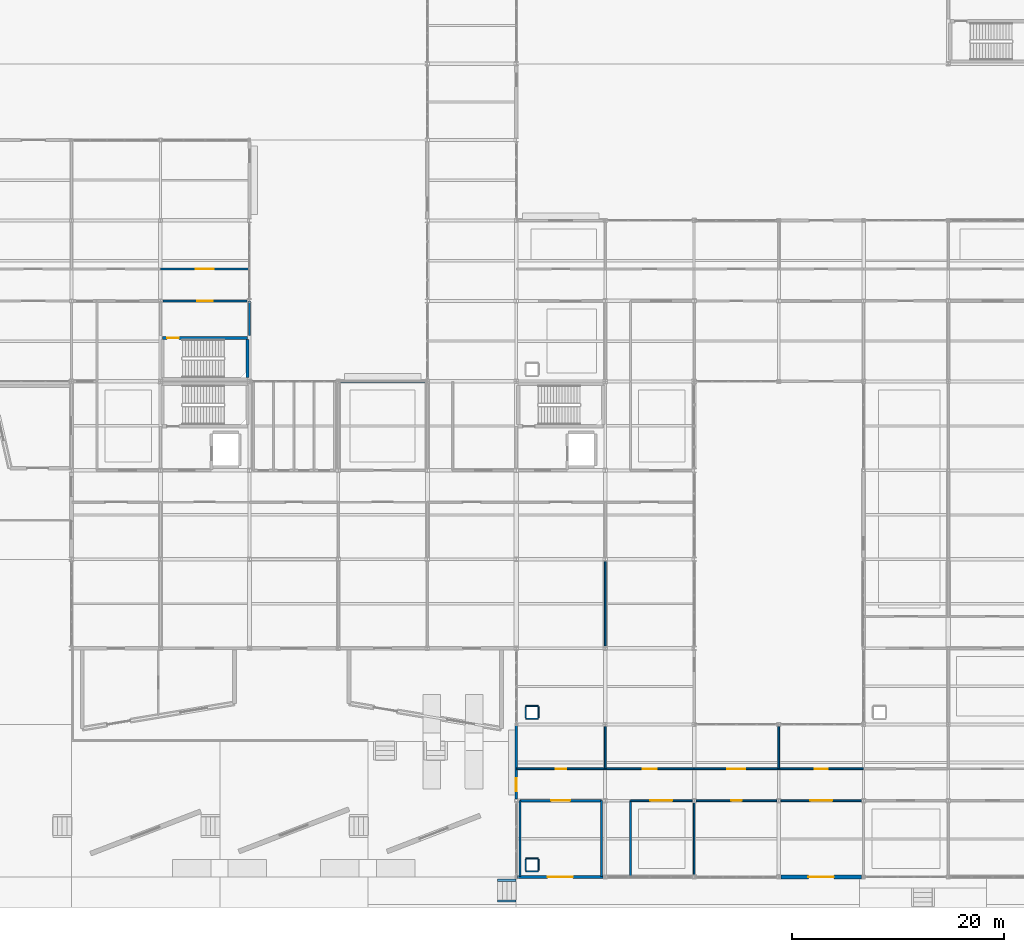
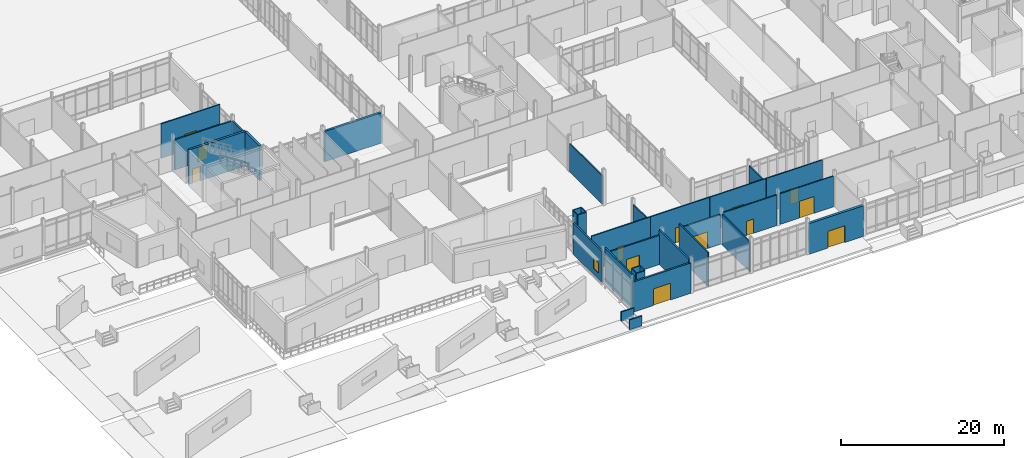
# One storey, part 191 of 229: 34 walls, 13 doors, 1 window, 14 openings.
"""IFC4 building model written with IfcOpenShell, lengths in metres."""

import ifcopenshell
import ifcopenshell.guid

model = None  # the IFC model being written
_history = None  # IfcOwnerHistory: only IFC2X3 demands one
_inside = {}  # id of a spatial element -> (the spatial element, [elements in it])
_under = {}  # id of a project, library or spatial element -> (it, [spatial elements below it])
_declared = {}  # id of a project -> (the project, [libraries it declares])
_typed = {}  # id of a type object -> (the type object, [elements of that type])
_made_of = {}  # id of a material, layer set ... -> (it, [elements and type objects made of it])


def new_model(schema):
    """Start an empty IFC model of exactly this schema.

    Asked for "IFC4X3", IfcOpenShell would pick the latest addendum, in which some entities
    have other attributes; the version numbers below select the first issue.
    IFC2X3 requires an IfcOwnerHistory on every rooted entity: one is made here for all.
    """
    global model, _history
    if schema == "IFC4X3":
        model = ifcopenshell.file(schema_version=(4, 3, 0, 0))
    else:
        model = ifcopenshell.file(schema=schema)
    _inside.clear()
    _under.clear()
    _declared.clear()
    _typed.clear()
    _made_of.clear()
    _history = None
    if model.schema == "IFC2X3":
        org = make("IfcOrganization", Name="unknown")
        user = make(
            "IfcPersonAndOrganization",
            ThePerson=make("IfcPerson", FamilyName="unknown"),
            TheOrganization=org,
        )
        app = make(
            "IfcApplication",
            ApplicationDeveloper=org,
            Version="unknown",
            ApplicationFullName="unknown",
            ApplicationIdentifier="unknown",
        )
        _history = make(
            "IfcOwnerHistory",
            OwningUser=user,
            OwningApplication=app,
            ChangeAction="ADDED",
            CreationDate=0,
        )
    return model


def make(cls, **values):
    """One entity of the class cls with the attributes given. An attribute that is None is left unset."""
    return model.create_entity(
        cls, **{name: value for name, value in values.items() if value is not None}
    )


def rooted(cls, **values):
    """An entity with a GlobalId (a new one), such as an element, a storey or a relation."""
    return make(cls, GlobalId=ifcopenshell.guid.new(), OwnerHistory=_history, **values)


def si_unit(unit_type, name, prefix=None):
    """IfcSIUnit, for example si_unit("LENGTHUNIT", "METRE", prefix="MILLI")."""
    return make("IfcSIUnit", UnitType=unit_type, Prefix=prefix, Name=name)


def assignment(units):
    """IfcUnitAssignment: the units of a project."""
    return None if units is None else make("IfcUnitAssignment", Units=units)


def point(xyz):
    """IfcCartesianPoint."""
    return None if xyz is None else make("IfcCartesianPoint", Coordinates=xyz)


def direction(xyz):
    """IfcDirection."""
    return None if xyz is None else make("IfcDirection", DirectionRatios=xyz)


def frame(location, z_axis=None, x_axis=None):
    """IfcAxis2Placement3D, a coordinate frame: its origin and axes. An axis left out is left unset."""
    return make(
        "IfcAxis2Placement3D",
        Location=point(location),
        Axis=direction(z_axis),
        RefDirection=direction(x_axis),
    )


def frame_2d(location, x_axis=None):
    """IfcAxis2Placement2D, a coordinate frame in the plane: its origin and x axis."""
    return make(
        "IfcAxis2Placement2D", Location=point(location), RefDirection=direction(x_axis)
    )


def origin():
    """The frame at (0, 0, 0) with its axes left unset."""
    return frame((0.0, 0.0, 0.0))


def place(relative_to, where):
    """IfcLocalPlacement: puts the frame where relative to a parent placement (None: the world)."""
    return make(
        "IfcLocalPlacement", PlacementRelTo=relative_to, RelativePlacement=where
    )


def context(
    kind, dimensions, precision=None, world=None, true_north=None, identifier=None
):
    """IfcGeometricRepresentationContext, for example the 3D "Model" context."""
    return make(
        "IfcGeometricRepresentationContext",
        ContextIdentifier=identifier,
        ContextType=kind,
        CoordinateSpaceDimension=dimensions,
        Precision=precision,
        WorldCoordinateSystem=world,
        TrueNorth=true_north,
    )


def subcontext(parent, identifier, kind, view, scale=None):
    """IfcGeometricRepresentationSubContext, for example "Body" below "Model"."""
    return make(
        "IfcGeometricRepresentationSubContext",
        ContextIdentifier=identifier,
        ContextType=kind,
        ParentContext=parent,
        TargetScale=scale,
        TargetView=view,
    )


def project(units=None, contexts=None):
    """IfcProject with its units and contexts."""
    return rooted(
        "IfcProject",
        Name="project",
        RepresentationContexts=contexts,
        UnitsInContext=assignment(units),
    )


def spatial(cls, under=None, at=None, **own):
    """A site, building, storey or space (cls), placed at a placement, below another one or the project."""
    s = rooted(cls, ObjectPlacement=at, **own)
    if under is not None:
        _under.setdefault(under.id(), (under, []))[1].append(s)
    return s


def profile(cls, at=None, kind="AREA", **sizes):
    """A parametric profile (cls). Its sizes go by their IFC names, for example OverallWidth=200.0."""
    return make(cls, ProfileType=kind, Position=at, **sizes)


def rectangle(**sizes):
    """IfcRectangleProfileDef."""
    return profile("IfcRectangleProfileDef", **sizes)


def extrude(swept, where, along, depth):
    """IfcExtrudedAreaSolid: the profile swept, set in the frame where, extruded along a direction by depth."""
    return make(
        "IfcExtrudedAreaSolid",
        SweptArea=swept,
        Position=where,
        ExtrudedDirection=direction(along),
        Depth=depth,
    )


def shape(context_of_items, identifier, shape_type, items):
    """IfcShapeRepresentation: the items that make up one representation, for example the "Body"."""
    return make(
        "IfcShapeRepresentation",
        ContextOfItems=context_of_items,
        RepresentationIdentifier=identifier,
        RepresentationType=shape_type,
        Items=items,
    )


def material(Name=None, Category=None):
    """IfcMaterial."""
    return make("IfcMaterial", Name=Name, Category=Category)


def layer(
    of_material, thickness, ventilated=None, Name=None, Category=None, Priority=None
):
    """IfcMaterialLayer: one layer of a wall or slab, of a material (None: an air gap)."""
    return make(
        "IfcMaterialLayer",
        Material=of_material,
        LayerThickness=thickness,
        IsVentilated=ventilated,
        Name=Name,
        Category=Category,
        Priority=Priority,
    )


def layer_set(layers, Name=None):
    """IfcMaterialLayerSet."""
    return make("IfcMaterialLayerSet", MaterialLayers=layers, LayerSetName=Name)


def made_of(thing, what):
    """Note that an element or type object is made of a material, layer set ...; save() writes the relation."""
    if what is not None:
        _made_of.setdefault(what.id(), (what, []))[1].append(thing)
    return thing


def type_object(cls, material=None, **own):
    """A type object (cls), such as IfcWallType, which elements share."""
    return made_of(rooted(cls, **own), material)


def element(
    cls,
    number,
    at=None,
    inside=None,
    cuts=None,
    type_object=None,
    material=None,
    context=None,
    identifier="Body",
    shape_type=None,
    held_by="IfcProductDefinitionShape",
    body=None,
    shapes=None,
    **own,
):
    """One element of the class cls, such as IfcWall. Its Tag is "e" and its number.

    at: its placement. inside: the storey or other place that contains it. cuts: it is an
    opening in that element (IfcRelVoidsElement). A single representation is given by context,
    identifier, shape_type and body (its items); several are given by shapes. held_by: the class
    of the entity that holds the representations. save() writes the other relations.
    """
    e = rooted(cls, Tag="e%d" % number, ObjectPlacement=at, **own)
    if body is not None:
        shapes = [shape(context, identifier, shape_type, body)]
    if shapes is not None:
        e.Representation = make(held_by, Representations=shapes)
    if inside is not None:
        _inside.setdefault(inside.id(), (inside, []))[1].append(e)
    if cuts is not None:
        rooted(
            "IfcRelVoidsElement", RelatingBuildingElement=cuts, RelatedOpeningElement=e
        )
    if type_object is not None:
        _typed.setdefault(type_object.id(), (type_object, []))[1].append(e)
    return made_of(e, material)


def fill(opening, filler):
    """IfcRelFillsElement: the door or window that sits in an opening."""
    return rooted(
        "IfcRelFillsElement",
        RelatingOpeningElement=opening,
        RelatedBuildingElement=filler,
    )


def aggregate(whole, parts):
    """IfcRelAggregates: a whole, such as a stair, and the parts it consists of."""
    return rooted("IfcRelAggregates", RelatingObject=whole, RelatedObjects=parts)


def save(model, path):
    """Write the relations noted so far, then the file.

    IfcRelAggregates (storeys below a building ...), IfcRelContainedInSpatialStructure (elements
    in a storey), IfcRelDefinesByType, IfcRelAssociatesMaterial and IfcRelDeclares: one each for
    every whole, place, type object, material and project.
    """
    for whole, parts in _under.values():
        aggregate(whole, parts)
    for where, things in _inside.values():
        rooted(
            "IfcRelContainedInSpatialStructure",
            RelatedElements=things,
            RelatingStructure=where,
        )
    for kind, things in _typed.values():
        rooted("IfcRelDefinesByType", RelatedObjects=things, RelatingType=kind)
    for what, things in _made_of.values():
        rooted("IfcRelAssociatesMaterial", RelatedObjects=things, RelatingMaterial=what)
    for by, libraries in _declared.values():
        rooted("IfcRelDeclares", RelatingContext=by, RelatedDefinitions=libraries)
    model.write(path)


model = new_model("IFC4")

# Units and contexts
model_context = context("Model", 3, precision=1e-05, world=origin(), true_north=direction((0.0, 1.0)))
body_context = subcontext(model_context, "Body", "Model", "MODEL_VIEW")
ifc_project = project(units=[si_unit("LENGTHUNIT", "METRE"), si_unit("AREAUNIT", "SQUARE_METRE"), si_unit("VOLUMEUNIT", "CUBIC_METRE"), si_unit("PLANEANGLEUNIT", "RADIAN"), si_unit("MASSUNIT", "GRAM", prefix="KILO")], contexts=[model_context])

# Site, building, storey
site_placement = place(None, origin())
site = spatial("IfcSite", under=ifc_project, at=site_placement, CompositionType="ELEMENT")
building_placement = place(site_placement, origin())
building = spatial("IfcBuilding", under=site, at=building_placement, Name="Calvrana Isthmian Art Gallery", CompositionType="ELEMENT")
storey_placement = place(building_placement, origin())
storey = spatial("IfcBuildingStorey", under=building, at=storey_placement, Name="L00", CompositionType="ELEMENT", Elevation=0.0)

# Wall, opening, door
ifc_material_1 = material(Name="Concrete C40/50", Category="concrete")
ifc_layer_1 = layer(ifc_material_1, 0.300048828125, Name="Concrete C40/50")
ifc_layer_set_1 = layer_set([ifc_layer_1], Name="Concrete C40/50")
wall_type_1 = type_object("IfcWallType", Name="CW-SHAFT-300", PredefinedType="SHEAR", material=ifc_layer_set_1)
wall_1_placement = place(storey_placement, frame((30.18994140625, 50.89990234375, 0.0), z_axis=(0.0, 0.0, 1.0), x_axis=(1.0, 0.0, 0.0)))
wall_1 = element("IfcWall", 1, at=wall_1_placement, inside=storey, type_object=wall_type_1, Name="Core C7 shear wall N L00", PredefinedType="SHEAR", context=body_context, shape_type="SweptSolid", body=[
    extrude(rectangle(XDim=8.02001953125, YDim=0.300048828125, at=frame_2d((4.010009765625, 0.0))), origin(), (0.0, 0.0, 1.0), 5.159912109375),
])
opening_1_placement = place(wall_1_placement, frame((0.449951171875, 0.0, 0.0)))
opening_1 = element("IfcOpeningElement", 2, at=opening_1_placement, cuts=wall_1, Name="Opening D-176", PredefinedType="OPENING", context=body_context, shape_type="SweptSolid", body=[
    extrude(rectangle(XDim=1.10009765625, YDim=2.14990234375, at=frame_2d((0.550048828125, 1.074951171875))), frame((0.0, 0.16015625, 0.0), z_axis=(0.0, -1.0, 0.0), x_axis=(1.0, 0.0, 0.0)), (0.0, 0.0, 1.0), 0.320556640625),
])
ifc_material_2 = material(Name="Steel ASTM A572 Gr 50", Category="steel")
door_type_1 = type_object("IfcDoorType", Name="DR-FIRE-1100", OperationType="NOTDEFINED", PredefinedType="DOOR", material=ifc_material_2)
door_1_placement = place(opening_1_placement, origin())
door_1 = element("IfcDoor", 3, at=door_1_placement, inside=storey, type_object=door_type_1, Name="Stair ST-7 fire door L00", OperationType="SINGLE_SWING_LEFT", OverallHeight=2.14990234375, OverallWidth=1.10009765625, PredefinedType="DOOR", context=body_context, shape_type="SweptSolid", body=[
    extrude(rectangle(XDim=1.10009765625, YDim=2.14990234375, at=frame_2d((0.550048828125, 1.074951171875))), frame((0.0, 0.02490234375, 0.0), z_axis=(0.0, -1.0, 0.0), x_axis=(1.0, 0.0, 0.0)), (0.0, 0.0, 1.0), 0.050048828125),
])
fill(opening_1, door_1)

# Wall
wall_2_placement = place(storey_placement, frame((38.2099609375, 47.14990234375, 0.0), z_axis=(0.0, 0.0, 1.0), x_axis=(0.0, 1.0, 0.0)))
element("IfcWall", 4, at=wall_2_placement, inside=storey, type_object=wall_type_1, Name="Core C7 shear wall E L00", PredefinedType="SHEAR", context=body_context, shape_type="SweptSolid", body=[
    extrude(rectangle(XDim=3.60009765625, YDim=0.300048828125, at=frame_2d((1.800048828125, 0.0))), origin(), (0.0, 0.0, 1.0), 5.159912109375),
])

# Wall, opening, window
ifc_material_3 = material(Name="Precast concrete C40/50", Category="concrete")
ifc_layer_2 = layer(ifc_material_3, 0.219970703125, Name="Precast concrete C40/50")
ifc_layer_set_2 = layer_set([ifc_layer_2], Name="Precast concrete C40/50")
wall_type_2 = type_object("IfcWallType", Name="EW-ACOUST-220", PredefinedType="SOLIDWALL", material=ifc_layer_set_2)
wall_3_placement = place(storey_placement, frame((63.60009765625, 7.352294921875, 0.0), z_axis=(0.0, 0.0, 1.0), x_axis=(0.0, 1.0, 0.0)))
wall_3 = element("IfcWall", 5, at=wall_3_placement, inside=storey, type_object=wall_type_2, Name="Exterior wall EW-039", PredefinedType="SOLIDWALL", context=body_context, shape_type="SweptSolid", body=[
    extrude(rectangle(XDim=6.946044921875, YDim=0.219970703125, at=frame_2d((3.47314453125, 0.0))), origin(), (0.0, 0.0, 1.0), 4.677978515625),
])
opening_2_placement = place(wall_3_placement, frame((0.75, 0.0, 0.89990234375)))
opening_2 = element("IfcOpeningElement", 6, at=opening_2_placement, cuts=wall_3, Name="Opening W-011", PredefinedType="OPENING", context=body_context, shape_type="SweptSolid", body=[
    extrude(rectangle(XDim=1.199951171875, YDim=1.5, at=frame_2d((0.60009765625, 0.75))), frame((0.0, 0.1201171875, 0.0), z_axis=(0.0, -1.0, 0.0), x_axis=(1.0, 0.0, 0.0)), (0.0, 0.0, 1.0), 0.240478515625),
])
ifc_material_4 = material(Name="Low-E laminated solar glass", Category="glass")
window_type = type_object("IfcWindowType", Name="WN-G01", PartitioningType="SINGLE_PANEL", PredefinedType="WINDOW", material=ifc_material_4)
window_placement = place(opening_2_placement, origin())
window = element("IfcWindow", 7, at=window_placement, inside=storey, type_object=window_type, Name="Facade window W-011", OverallHeight=1.5, OverallWidth=1.199951171875, PartitioningType="SINGLE_PANEL", PredefinedType="WINDOW", context=body_context, shape_type="SweptSolid", body=[
    extrude(rectangle(XDim=1.199951171875, YDim=1.5, at=frame_2d((0.60009765625, 0.75))), frame((0.0, 0.030029296875, 0.0), z_axis=(0.0, -1.0, 0.0), x_axis=(1.0, 0.0, 0.0)), (0.0, 0.0, 1.0), 0.06005859375),
])
fill(opening_2, window)

# Wall
ifc_material_5 = material(Name="Pale Isthmian limestone", Category="masonry")
ifc_layer_3 = layer(ifc_material_5, 0.300048828125, Name="Pale Isthmian limestone")
ifc_layer_set_3 = layer_set([ifc_layer_3], Name="Pale Isthmian limestone")
wall_type_3 = type_object("IfcWallType", Name="EW-LIME-300", PredefinedType="SOLIDWALL", material=ifc_layer_set_3)
wall_4_placement = place(storey_placement, frame((46.99951171875, 46.800048828125, 0.0), z_axis=(0.0, 0.0, 1.0), x_axis=(1.0, 0.0, 0.0)))
element("IfcWall", 8, at=wall_4_placement, inside=storey, type_object=wall_type_3, Name="Exterior wall EW-012", PredefinedType="SOLIDWALL", context=body_context, shape_type="SweptSolid", body=[
    extrude(rectangle(XDim=7.99853515625, YDim=0.300048828125, at=frame_2d((3.999267578125, 0.0))), origin(), (0.0, 0.0, 1.0), 4.528076171875),
])

# Wall, opening, door
ifc_layer_4 = layer(ifc_material_3, 0.35009765625, Name="Precast concrete C40/50")
ifc_layer_set_4 = layer_set([ifc_layer_4], Name="Precast concrete C40/50")
wall_type_4 = type_object("IfcWallType", Name="EW-PREC-350", PredefinedType="SOLIDWALL", material=ifc_layer_set_4)
wall_5_placement = place(storey_placement, frame((96.214599609375, 0.0, 0.0), z_axis=(0.0, 0.0, 1.0), x_axis=(-1.0, 0.0, 0.0)))
wall_5 = element("IfcWall", 9, at=wall_5_placement, inside=storey, type_object=wall_type_4, Name="Exterior wall EW-002", PredefinedType="SOLIDWALL", context=body_context, shape_type="SweptSolid", body=[
    extrude(rectangle(XDim=7.628173828125, YDim=0.35009765625, at=frame_2d((3.81396484375, 0.0))), origin(), (0.0, 0.0, 1.0), 4.591064453125),
])
opening_3_placement = place(wall_5_placement, frame((2.614013671875, 0.0, 0.0)))
opening_3 = element("IfcOpeningElement", 10, at=opening_3_placement, cuts=wall_5, Name="Opening D-E02", PredefinedType="OPENING", context=body_context, shape_type="SweptSolid", body=[
    extrude(rectangle(XDim=2.39990234375, YDim=2.5, at=frame_2d((1.199951171875, 1.25))), frame((0.0, 0.185302734375, 0.0), z_axis=(0.0, -1.0, 0.0), x_axis=(1.0, 0.0, 0.0)), (0.0, 0.0, 1.0), 0.37060546875),
])
ifc_material_6 = material(Name="Anodized bronze aluminium 6063-T6", Category="aluminium")
door_type_2 = type_object("IfcDoorType", Name="DR-EXT-MAIN-2400", OperationType="DOUBLE_DOOR_SINGLE_SWING", PredefinedType="DOOR", material=ifc_material_6)
door_2_placement = place(opening_3_placement, origin())
door_2 = element("IfcDoor", 11, at=door_2_placement, inside=storey, type_object=door_type_2, Name="Main entrance pedestrian exit D-E02", OperationType="DOUBLE_DOOR_SINGLE_SWING", OverallHeight=2.5, OverallWidth=2.39990234375, PredefinedType="DOOR", context=body_context, shape_type="SweptSolid", body=[
    extrude(rectangle(XDim=2.39990234375, YDim=2.5, at=frame_2d((1.199951171875, 1.25))), frame((0.0, 0.02490234375, 0.0), z_axis=(0.0, -1.0, 0.0), x_axis=(1.0, 0.0, 0.0)), (0.0, 0.0, 1.0), 0.050048828125),
])
fill(opening_3, door_2)

ifc_material_7 = material(Name="Polychrome glazed terracotta", Category="masonry")
ifc_layer_5 = layer(ifc_material_7, 0.25, Name="Polychrome glazed terracotta")
ifc_layer_set_5 = layer_set([ifc_layer_5], Name="Polychrome glazed terracotta")
wall_type_5 = type_object("IfcWallType", Name="EW-TERRA-250", PredefinedType="SOLIDWALL", material=ifc_layer_set_5)
wall_6_placement = place(storey_placement, frame((71.81591796875, 0.0, 0.0), z_axis=(0.0, 0.0, 1.0), x_axis=(-1.0, 0.0, 0.0)))
wall_6 = element("IfcWall", 12, at=wall_6_placement, inside=storey, type_object=wall_type_5, Name="Exterior wall EW-001", PredefinedType="SOLIDWALL", context=body_context, shape_type="SweptSolid", body=[
    extrude(rectangle(XDim=8.1142578125, YDim=0.25, at=frame_2d((4.05712890625, 0.0))), origin(), (0.0, 0.0, 1.0), 4.528076171875),
])
opening_4_placement = place(wall_6_placement, frame((2.857177734375, 0.0, 0.0)))
opening_4 = element("IfcOpeningElement", 13, at=opening_4_placement, cuts=wall_6, Name="Opening D-E01", PredefinedType="OPENING", context=body_context, shape_type="SweptSolid", body=[
    extrude(rectangle(XDim=2.39990234375, YDim=2.5, at=frame_2d((1.199951171875, 1.25))), frame((0.0, 0.13525390625, 0.0), z_axis=(0.0, -1.0, 0.0), x_axis=(1.0, 0.0, 0.0)), (0.0, 0.0, 1.0), 0.2705078125),
])
door_3_placement = place(opening_4_placement, origin())
door_3 = element("IfcDoor", 14, at=door_3_placement, inside=storey, type_object=door_type_2, Name="Main entrance pedestrian exit D-E01", OperationType="DOUBLE_DOOR_SINGLE_SWING", OverallHeight=2.5, OverallWidth=2.39990234375, PredefinedType="DOOR", context=body_context, shape_type="SweptSolid", body=[
    extrude(rectangle(XDim=2.39990234375, YDim=2.5, at=frame_2d((1.199951171875, 1.25))), frame((0.0, 0.02490234375, 0.0), z_axis=(0.0, -1.0, 0.0), x_axis=(1.0, 0.0, 0.0)), (0.0, 0.0, 1.0), 0.050048828125),
])
fill(opening_4, door_3)

# Wall
ifc_material_8 = material(Name="Acoustic gypsum ceiling", Category="gypsum")
ifc_layer_6 = layer(ifc_material_8, 0.199951171875, Name="Acoustic gypsum ceiling")
ifc_layer_set_6 = layer_set([ifc_layer_6], Name="Acoustic gypsum ceiling")
wall_type_6 = type_object("IfcWallType", Name="PW-FIRE-200", PredefinedType="PARTITIONING", material=ifc_layer_set_6)
wall_7_placement = place(storey_placement, frame((38.39990234375, 51.1201171875, 0.0), z_axis=(0.0, 0.0, 1.0), x_axis=(0.0, 1.0, 0.0)))
element("IfcWall", 15, at=wall_7_placement, inside=storey, type_object=wall_type_6, Name="Core C7 lobby E closure L00", PredefinedType="PARTITIONING", context=body_context, shape_type="SweptSolid", body=[
    extrude(rectangle(XDim=3.259765625, YDim=0.199951171875, at=frame_2d((1.6298828125, 0.0))), origin(), (0.0, 0.0, 1.0), 4.532958984375),
])

# Wall, opening, door
wall_8_placement = place(storey_placement, frame((30.219970703125, 54.39990234375, 0.0), z_axis=(0.0, 0.0, 1.0), x_axis=(1.0, 0.0, 0.0)))
wall_8 = element("IfcWall", 16, at=wall_8_placement, inside=storey, type_object=wall_type_6, Name="Core C7 lobby enclosure L00", PredefinedType="PARTITIONING", context=body_context, shape_type="SweptSolid", body=[
    extrude(rectangle(XDim=7.9599609375, YDim=0.199951171875, at=frame_2d((3.97998046875, 0.0))), origin(), (0.0, 0.0, 1.0), 4.51806640625),
])
opening_5_placement = place(wall_8_placement, frame((3.2548828125, 0.0, 0.0)))
opening_5 = element("IfcOpeningElement", 17, at=opening_5_placement, cuts=wall_8, Name="Opening D-177", PredefinedType="OPENING", context=body_context, shape_type="SweptSolid", body=[
    extrude(rectangle(XDim=1.449951171875, YDim=2.199951171875, at=frame_2d((0.72509765625, 1.10009765625))), frame((0.0, 0.1103515625, 0.0), z_axis=(0.0, -1.0, 0.0), x_axis=(1.0, 0.0, 0.0)), (0.0, 0.0, 1.0), 0.220458984375),
])
door_type_3 = type_object("IfcDoorType", Name="DR-LOBBY-1450", OperationType="DOUBLE_DOOR_SINGLE_SWING", PredefinedType="DOOR", material=ifc_material_2)
door_4_placement = place(opening_5_placement, origin())
door_4 = element("IfcDoor", 18, at=door_4_placement, inside=storey, type_object=door_type_3, Name="Core C7 lobby fire door L00", OperationType="DOUBLE_DOOR_SINGLE_SWING", OverallHeight=2.199951171875, OverallWidth=1.449951171875, PredefinedType="DOOR", context=body_context, shape_type="SweptSolid", body=[
    extrude(rectangle(XDim=1.449951171875, YDim=2.199951171875, at=frame_2d((0.72509765625, 1.10009765625))), frame((0.0, 0.02490234375, 0.0), z_axis=(0.0, -1.0, 0.0), x_axis=(1.0, 0.0, 0.0)), (0.0, 0.0, 1.0), 0.050048828125),
])
fill(opening_5, door_4)

# Walls
for number, where, z_axis, x_axis, name in (
    (19, (63.9599609375, 0.02001953125, 0.0), (0.0, 0.0, 1.0), (0.0, 1.0, 0.0), "Interior partition PW-107"),
    (20, (71.639892578125, 0.02001953125, 0.0), (0.0, 0.0, 1.0), (0.0, 1.0, 0.0), "Interior partition PW-108"),
):
    element("IfcWall", number, at=place(storey_placement, frame(where, z_axis=z_axis, x_axis=x_axis)), inside=storey, type_object=wall_type_6, Name=name, PredefinedType="PARTITIONING", context=body_context, shape_type="SweptSolid", body=[
        extrude(rectangle(XDim=7.179931640625, YDim=0.199951171875, at=frame_2d((3.58984375, 0.0))), origin(), (0.0, 0.0, 1.0), 5.139892578125),
    ])

# Wall, opening, door
wall_9_placement = place(storey_placement, frame((63.9599609375, 7.199951171875, 0.0), z_axis=(0.0, 0.0, 1.0), x_axis=(1.0, 0.0, 0.0)))
wall_9 = element("IfcWall", 21, at=wall_9_placement, inside=storey, type_object=wall_type_6, Name="Interior partition PW-109", PredefinedType="PARTITIONING", context=body_context, shape_type="SweptSolid", body=[
    extrude(rectangle(XDim=7.679931640625, YDim=0.199951171875, at=frame_2d((3.83984375, 0.0))), origin(), (0.0, 0.0, 1.0), 4.3779296875),
])
opening_6_placement = place(wall_9_placement, frame((2.93994140625, 0.0, 0.0)))
opening_6 = element("IfcOpeningElement", 22, at=opening_6_placement, cuts=wall_9, Name="Opening D-250", PredefinedType="OPENING", context=body_context, shape_type="SweptSolid", body=[
    extrude(rectangle(XDim=1.800048828125, YDim=2.39990234375, at=frame_2d((0.89990234375, 1.199951171875))), frame((0.0, 0.1103515625, 0.0), z_axis=(0.0, -1.0, 0.0), x_axis=(1.0, 0.0, 0.0)), (0.0, 0.0, 1.0), 0.220458984375),
])
door_type_4 = type_object("IfcDoorType", Name="DR-VAULT-1800", OperationType="DOUBLE_DOOR_SINGLE_SWING", PredefinedType="DOOR", material=ifc_material_2)
door_5_placement = place(opening_6_placement, origin())
door_5 = element("IfcDoor", 23, at=door_5_placement, inside=storey, type_object=door_type_4, Name="Interior door D-250", OperationType="DOUBLE_DOOR_SINGLE_SWING", OverallHeight=2.39990234375, OverallWidth=1.800048828125, PredefinedType="DOOR", context=body_context, shape_type="SweptSolid", body=[
    extrude(rectangle(XDim=1.800048828125, YDim=2.39990234375, at=frame_2d((0.89990234375, 1.199951171875))), frame((0.0, 0.02490234375, 0.0), z_axis=(0.0, -1.0, 0.0), x_axis=(1.0, 0.0, 0.0)), (0.0, 0.0, 1.0), 0.050048828125),
])
fill(opening_6, door_5)

# Walls
ifc_layer_7 = layer(ifc_material_8, 0.1201171875, Name="Acoustic gypsum ceiling")
ifc_layer_set_7 = layer_set([ifc_layer_7], Name="Acoustic gypsum ceiling")
wall_type_7 = type_object("IfcWallType", Name="PW-FURR-120", PredefinedType="PARTITIONING", material=ifc_layer_set_7)
for number, where, z_axis, x_axis, name in (
    (24, (64.5, 0.5400390625, 0.0), (0.0, 0.0, 1.0), (1.0, 0.0, 0.0), "MEP riser enclosure L00-1S"),
    (25, (64.5, 1.739990234375, 0.0), (0.0, 0.0, 1.0), (1.0, 0.0, 0.0), "MEP riser enclosure L00-1N"),
):
    element("IfcWall", number, at=place(storey_placement, frame(where, z_axis=z_axis, x_axis=x_axis)), inside=storey, type_object=wall_type_7, Name=name, PredefinedType="PARTITIONING", context=body_context, shape_type="SweptSolid", body=[
        extrude(rectangle(XDim=1.199951171875, YDim=0.1201171875, at=frame_2d((0.60009765625, 0.0))), origin(), (0.0, 0.0, 1.0), 5.159912109375),
    ])
for number, where, z_axis, x_axis, name in (
    (26, (64.5, 0.6201171875, 0.0), (0.0, 0.0, 1.0), (0.0, 1.0, 0.0), "MEP riser enclosure L00-1W"),
    (27, (65.699951171875, 0.6201171875, 0.0), (0.0, 0.0, 1.0), (0.0, 1.0, 0.0), "MEP riser enclosure L00-1E"),
):
    element("IfcWall", number, at=place(storey_placement, frame(where, z_axis=z_axis, x_axis=x_axis)), inside=storey, type_object=wall_type_7, Name=name, PredefinedType="PARTITIONING", context=body_context, shape_type="SweptSolid", body=[
        extrude(rectangle(XDim=1.039794921875, YDim=0.1201171875, at=frame_2d((0.52001953125, 0.0))), origin(), (0.0, 0.0, 1.0), 5.159912109375),
    ])
for number, where, z_axis, x_axis, name in (
    (28, (64.5, 14.93994140625, 0.0), (0.0, 0.0, 1.0), (1.0, 0.0, 0.0), "MEP riser enclosure L00-2S"),
    (29, (64.5, 16.139892578125, 0.0), (0.0, 0.0, 1.0), (1.0, 0.0, 0.0), "MEP riser enclosure L00-2N"),
):
    element("IfcWall", number, at=place(storey_placement, frame(where, z_axis=z_axis, x_axis=x_axis)), inside=storey, type_object=wall_type_7, Name=name, PredefinedType="PARTITIONING", context=body_context, shape_type="SweptSolid", body=[
        extrude(rectangle(XDim=1.199951171875, YDim=0.1201171875, at=frame_2d((0.60009765625, 0.0))), origin(), (0.0, 0.0, 1.0), 5.159912109375),
    ])
for number, where, z_axis, x_axis, name in (
    (30, (64.5, 15.02001953125, 0.0), (0.0, 0.0, 1.0), (0.0, 1.0, 0.0), "MEP riser enclosure L00-2W"),
    (31, (65.699951171875, 15.02001953125, 0.0), (0.0, 0.0, 1.0), (0.0, 1.0, 0.0), "MEP riser enclosure L00-2E"),
):
    element("IfcWall", number, at=place(storey_placement, frame(where, z_axis=z_axis, x_axis=x_axis)), inside=storey, type_object=wall_type_7, Name=name, PredefinedType="PARTITIONING", context=body_context, shape_type="SweptSolid", body=[
        extrude(rectangle(XDim=1.0400390625, YDim=0.1201171875, at=frame_2d((0.52001953125, 0.0))), origin(), (0.0, 0.0, 1.0), 5.159912109375),
    ])
ifc_layer_8 = layer(ifc_material_8, 0.159912109375, Name="Acoustic gypsum ceiling")
ifc_layer_set_8 = layer_set([ifc_layer_8], Name="Acoustic gypsum ceiling")
wall_type_8 = type_object("IfcWallType", Name="PW-GAL-160", PredefinedType="PARTITIONING", material=ifc_layer_set_8)
wall_10_placement = place(storey_placement, frame((72.0, 21.81201171875, 0.0), z_axis=(0.0, 0.0, 1.0), x_axis=(0.0, 1.0, 0.0)))
element("IfcWall", 32, at=wall_10_placement, inside=storey, type_object=wall_type_8, Name="Interior partition PW-089", PredefinedType="PARTITIONING", context=body_context, shape_type="SweptSolid", body=[
    extrude(rectangle(XDim=7.986572265625, YDim=0.159912109375, at=frame_2d((3.9931640625, 0.0))), origin(), (0.0, 0.0, 1.0), 4.212890625),
])
wall_11_placement = place(storey_placement, frame((74.39990234375, 0.0400390625, 0.0), z_axis=(0.0, 0.0, 1.0), x_axis=(0.0, 1.0, 0.0)))
element("IfcWall", 33, at=wall_11_placement, inside=storey, type_object=wall_type_8, Name="Interior partition PW-110", PredefinedType="PARTITIONING", context=body_context, shape_type="SweptSolid", body=[
    extrude(rectangle(XDim=7.139892578125, YDim=0.159912109375, at=frame_2d((3.56982421875, 0.0))), origin(), (0.0, 0.0, 1.0), 5.139892578125),
])

# Wall, opening, door
wall_12_placement = place(storey_placement, frame((74.39990234375, 7.199951171875, 0.0), z_axis=(0.0, 0.0, 1.0), x_axis=(1.0, 0.0, 0.0)))
wall_12 = element("IfcWall", 34, at=wall_12_placement, inside=storey, type_object=wall_type_8, Name="Interior partition PW-111", PredefinedType="PARTITIONING", context=body_context, shape_type="SweptSolid", body=[
    extrude(rectangle(XDim=5.801025390625, YDim=0.159912109375, at=frame_2d((2.900390625, 0.0))), origin(), (0.0, 0.0, 1.0), 4.447021484375),
])
opening_7_placement = place(wall_12_placement, frame((1.8505859375, 0.0, 0.0)))
opening_7 = element("IfcOpeningElement", 35, at=opening_7_placement, cuts=wall_12, Name="Opening D-251", PredefinedType="OPENING", context=body_context, shape_type="SweptSolid", body=[
    extrude(rectangle(XDim=2.10009765625, YDim=2.5, at=frame_2d((1.050048828125, 1.25))), frame((0.0, 0.09033203125, 0.0), z_axis=(0.0, -1.0, 0.0), x_axis=(1.0, 0.0, 0.0)), (0.0, 0.0, 1.0), 0.180419921875),
])
ifc_material_9 = material(Name="Timber gallery flooring", Category="wood")
door_type_5 = type_object("IfcDoorType", Name="DR-GAL-2100", OperationType="DOUBLE_DOOR_SINGLE_SWING", PredefinedType="DOOR", material=ifc_material_9)
door_6_placement = place(opening_7_placement, origin())
door_6 = element("IfcDoor", 36, at=door_6_placement, inside=storey, type_object=door_type_5, Name="Interior door D-251", OperationType="DOUBLE_DOOR_SINGLE_SWING", OverallHeight=2.5, OverallWidth=2.10009765625, PredefinedType="DOOR", context=body_context, shape_type="SweptSolid", body=[
    extrude(rectangle(XDim=2.10009765625, YDim=2.5, at=frame_2d((1.050048828125, 1.25))), frame((0.0, 0.02490234375, 0.0), z_axis=(0.0, -1.0, 0.0), x_axis=(1.0, 0.0, 0.0)), (0.0, 0.0, 1.0), 0.050048828125),
])
fill(opening_7, door_6)

# Wall
wall_13_placement = place(storey_placement, frame((80.39990234375, 0.201416015625, 0.0), z_axis=(0.0, 0.0, 1.0), x_axis=(0.0, 1.0, 0.0)))
element("IfcWall", 37, at=wall_13_placement, inside=storey, type_object=wall_type_8, Name="Interior partition PW-112", PredefinedType="PARTITIONING", context=body_context, shape_type="SweptSolid", body=[
    extrude(rectangle(XDim=6.8056640625, YDim=0.159912109375, at=frame_2d((3.40283203125, 0.0))), origin(), (0.0, 0.0, 1.0), 4.528076171875),
])

# Wall, opening, door
wall_14_placement = place(storey_placement, frame((80.59912109375, 7.199951171875, 0.0), z_axis=(0.0, 0.0, 1.0), x_axis=(1.0, 0.0, 0.0)))
wall_14 = element("IfcWall", 38, at=wall_14_placement, inside=storey, type_object=wall_type_8, Name="Interior partition PW-113", PredefinedType="PARTITIONING", context=body_context, shape_type="SweptSolid", body=[
    extrude(rectangle(XDim=7.599365234375, YDim=0.159912109375, at=frame_2d((3.7998046875, 0.0))), origin(), (0.0, 0.0, 1.0), 4.591064453125),
])
opening_8_placement = place(wall_14_placement, frame((3.2998046875, 0.0, 0.0)))
opening_8 = element("IfcOpeningElement", 39, at=opening_8_placement, cuts=wall_14, Name="Opening D-252", PredefinedType="OPENING", context=body_context, shape_type="SweptSolid", body=[
    extrude(rectangle(XDim=1.0, YDim=2.14990234375, at=frame_2d((0.5, 1.074951171875))), frame((0.0, 0.09033203125, 0.0), z_axis=(0.0, -1.0, 0.0), x_axis=(1.0, 0.0, 0.0)), (0.0, 0.0, 1.0), 0.180419921875),
])
door_type_6 = type_object("IfcDoorType", Name="DR-RM-1000", OperationType="NOTDEFINED", PredefinedType="DOOR", material=ifc_material_9)
door_7_placement = place(opening_8_placement, origin())
door_7 = element("IfcDoor", 40, at=door_7_placement, inside=storey, type_object=door_type_6, Name="Interior door D-252", OperationType="SINGLE_SWING_LEFT", OverallHeight=2.14990234375, OverallWidth=1.0, PredefinedType="DOOR", context=body_context, shape_type="SweptSolid", body=[
    extrude(rectangle(XDim=1.0, YDim=2.14990234375, at=frame_2d((0.5, 1.074951171875))), frame((0.0, 0.02490234375, 0.0), z_axis=(0.0, -1.0, 0.0), x_axis=(1.0, 0.0, 0.0)), (0.0, 0.0, 1.0), 0.050048828125),
])
fill(opening_8, door_7)

wall_15_placement = place(storey_placement, frame((88.6015625, 7.199951171875, 0.0), z_axis=(0.0, 0.0, 1.0), x_axis=(1.0, 0.0, 0.0)))
wall_15 = element("IfcWall", 41, at=wall_15_placement, inside=storey, type_object=wall_type_8, Name="Interior partition PW-114", PredefinedType="PARTITIONING", context=body_context, shape_type="SweptSolid", body=[
    extrude(rectangle(XDim=7.596923828125, YDim=0.159912109375, at=frame_2d((3.79833984375, 0.0))), origin(), (0.0, 0.0, 1.0), 4.60693359375),
])
opening_9_placement = place(wall_15_placement, frame((2.74853515625, 0.0, 0.0)))
opening_9 = element("IfcOpeningElement", 42, at=opening_9_placement, cuts=wall_15, Name="Opening D-253", PredefinedType="OPENING", context=body_context, shape_type="SweptSolid", body=[
    extrude(rectangle(XDim=2.10009765625, YDim=2.5, at=frame_2d((1.050048828125, 1.25))), frame((0.0, 0.09033203125, 0.0), z_axis=(0.0, -1.0, 0.0), x_axis=(1.0, 0.0, 0.0)), (0.0, 0.0, 1.0), 0.180419921875),
])
door_8_placement = place(opening_9_placement, origin())
door_8 = element("IfcDoor", 43, at=door_8_placement, inside=storey, type_object=door_type_5, Name="Interior door D-253", OperationType="DOUBLE_DOOR_SINGLE_SWING", OverallHeight=2.5, OverallWidth=2.10009765625, PredefinedType="DOOR", context=body_context, shape_type="SweptSolid", body=[
    extrude(rectangle(XDim=2.10009765625, YDim=2.5, at=frame_2d((1.050048828125, 1.25))), frame((0.0, 0.02490234375, 0.0), z_axis=(0.0, -1.0, 0.0), x_axis=(1.0, 0.0, 0.0)), (0.0, 0.0, 1.0), 0.050048828125),
])
fill(opening_9, door_8)

wall_16_placement = place(storey_placement, frame((63.659912109375, 10.2099609375, 0.0), z_axis=(0.0, 0.0, 1.0), x_axis=(1.0, 0.0, 0.0)))
wall_16 = element("IfcWall", 44, at=wall_16_placement, inside=storey, type_object=wall_type_8, Name="Interior partition PW-120", PredefinedType="PARTITIONING", context=body_context, shape_type="SweptSolid", body=[
    extrude(rectangle(XDim=8.330078125, YDim=0.159912109375, at=frame_2d((4.1650390625, 0.0))), origin(), (0.0, 0.0, 1.0), 5.139892578125),
])
opening_10_placement = place(wall_16_placement, frame((3.6650390625, 0.0, 0.0)))
opening_10 = element("IfcOpeningElement", 45, at=opening_10_placement, cuts=wall_16, Name="Opening D-256", PredefinedType="OPENING", context=body_context, shape_type="SweptSolid", body=[
    extrude(rectangle(XDim=1.0, YDim=2.14990234375, at=frame_2d((0.5, 1.074951171875))), frame((0.0, 0.09033203125, 0.0), z_axis=(0.0, -1.0, 0.0), x_axis=(1.0, 0.0, 0.0)), (0.0, 0.0, 1.0), 0.180419921875),
])
door_9_placement = place(opening_10_placement, origin())
door_9 = element("IfcDoor", 46, at=door_9_placement, inside=storey, type_object=door_type_6, Name="Interior door D-256", OperationType="SINGLE_SWING_LEFT", OverallHeight=2.14990234375, OverallWidth=1.0, PredefinedType="DOOR", context=body_context, shape_type="SweptSolid", body=[
    extrude(rectangle(XDim=1.0, YDim=2.14990234375, at=frame_2d((0.5, 1.074951171875))), frame((0.0, 0.02490234375, 0.0), z_axis=(0.0, -1.0, 0.0), x_axis=(1.0, 0.0, 0.0)), (0.0, 0.0, 1.0), 0.050048828125),
])
fill(opening_10, door_9)

# Wall
wall_17_placement = place(storey_placement, frame((72.0, 10.219970703125, 0.0), z_axis=(0.0, 0.0, 1.0), x_axis=(0.0, 1.0, 0.0)))
element("IfcWall", 47, at=wall_17_placement, inside=storey, type_object=wall_type_8, Name="Interior partition PW-121", PredefinedType="PARTITIONING", context=body_context, shape_type="SweptSolid", body=[
    extrude(rectangle(XDim=3.98095703125, YDim=0.159912109375, at=frame_2d((1.990478515625, 0.0))), origin(), (0.0, 0.0, 1.0), 4.528076171875),
])

# Wall, opening, door
wall_18_placement = place(storey_placement, frame((72.010009765625, 10.2099609375, 0.0), z_axis=(0.0, 0.0, 1.0), x_axis=(1.0, 0.0, 0.0)))
wall_18 = element("IfcWall", 48, at=wall_18_placement, inside=storey, type_object=wall_type_8, Name="Interior partition PW-122", PredefinedType="PARTITIONING", context=body_context, shape_type="SweptSolid", body=[
    extrude(rectangle(XDim=8.3798828125, YDim=0.159912109375, at=frame_2d((4.18994140625, 0.0))), origin(), (0.0, 0.0, 1.0), 5.139892578125),
])
opening_11_placement = place(wall_18_placement, frame((3.5400390625, 0.0, 0.0)))
opening_11 = element("IfcOpeningElement", 49, at=opening_11_placement, cuts=wall_18, Name="Opening D-257", PredefinedType="OPENING", context=body_context, shape_type="SweptSolid", body=[
    extrude(rectangle(XDim=1.300048828125, YDim=2.199951171875, at=frame_2d((0.64990234375, 1.10009765625))), frame((0.0, 0.09033203125, 0.0), z_axis=(0.0, -1.0, 0.0), x_axis=(1.0, 0.0, 0.0)), (0.0, 0.0, 1.0), 0.180419921875),
])
door_type_7 = type_object("IfcDoorType", Name="DR-RM-1300", OperationType="NOTDEFINED", PredefinedType="DOOR", material=ifc_material_9)
door_10_placement = place(opening_11_placement, origin())
door_10 = element("IfcDoor", 50, at=door_10_placement, inside=storey, type_object=door_type_7, Name="Interior door D-257", OperationType="SINGLE_SWING_RIGHT", OverallHeight=2.199951171875, OverallWidth=1.300048828125, PredefinedType="DOOR", context=body_context, shape_type="SweptSolid", body=[
    extrude(rectangle(XDim=1.300048828125, YDim=2.199951171875, at=frame_2d((0.64990234375, 1.10009765625))), frame((0.0, 0.02490234375, 0.0), z_axis=(0.0, -1.0, 0.0), x_axis=(1.0, 0.0, 0.0)), (0.0, 0.0, 1.0), 0.050048828125),
])
fill(opening_11, door_10)

wall_19_placement = place(storey_placement, frame((80.409912109375, 10.2099609375, 0.0), z_axis=(0.0, 0.0, 1.0), x_axis=(1.0, 0.0, 0.0)))
wall_19 = element("IfcWall", 51, at=wall_19_placement, inside=storey, type_object=wall_type_8, Name="Interior partition PW-123", PredefinedType="PARTITIONING", context=body_context, shape_type="SweptSolid", body=[
    extrude(rectangle(XDim=7.97998046875, YDim=0.159912109375, at=frame_2d((3.989990234375, 0.0))), origin(), (0.0, 0.0, 1.0), 5.139892578125),
])
opening_12_placement = place(wall_19_placement, frame((3.139892578125, 0.0, 0.0)))
opening_12 = element("IfcOpeningElement", 52, at=opening_12_placement, cuts=wall_19, Name="Opening D-258", PredefinedType="OPENING", context=body_context, shape_type="SweptSolid", body=[
    extrude(rectangle(XDim=1.699951171875, YDim=2.39990234375, at=frame_2d((0.85009765625, 1.199951171875))), frame((0.0, 0.09033203125, 0.0), z_axis=(0.0, -1.0, 0.0), x_axis=(1.0, 0.0, 0.0)), (0.0, 0.0, 1.0), 0.180419921875),
])
door_type_8 = type_object("IfcDoorType", Name="DR-GAL-1700", OperationType="DOUBLE_DOOR_SINGLE_SWING", PredefinedType="DOOR", material=ifc_material_9)
door_11_placement = place(opening_12_placement, origin())
door_11 = element("IfcDoor", 53, at=door_11_placement, inside=storey, type_object=door_type_8, Name="Interior door D-258", OperationType="DOUBLE_DOOR_SINGLE_SWING", OverallHeight=2.39990234375, OverallWidth=1.699951171875, PredefinedType="DOOR", context=body_context, shape_type="SweptSolid", body=[
    extrude(rectangle(XDim=1.699951171875, YDim=2.39990234375, at=frame_2d((0.85009765625, 1.199951171875))), frame((0.0, 0.02490234375, 0.0), z_axis=(0.0, -1.0, 0.0), x_axis=(1.0, 0.0, 0.0)), (0.0, 0.0, 1.0), 0.050048828125),
])
fill(opening_12, door_11)

# Wall
wall_20_placement = place(storey_placement, frame((88.39990234375, 10.219970703125, 0.0), z_axis=(0.0, 0.0, 1.0), x_axis=(0.0, 1.0, 0.0)))
element("IfcWall", 54, at=wall_20_placement, inside=storey, type_object=wall_type_8, Name="Interior partition PW-124", PredefinedType="PARTITIONING", context=body_context, shape_type="SweptSolid", body=[
    extrude(rectangle(XDim=3.987060546875, YDim=0.159912109375, at=frame_2d((1.99365234375, 0.0))), origin(), (0.0, 0.0, 1.0), 4.60693359375),
])

# Wall, opening, door
wall_21_placement = place(storey_placement, frame((88.409912109375, 10.2099609375, 0.0), z_axis=(0.0, 0.0, 1.0), x_axis=(1.0, 0.0, 0.0)))
wall_21 = element("IfcWall", 55, at=wall_21_placement, inside=storey, type_object=wall_type_8, Name="Interior partition PW-125", PredefinedType="PARTITIONING", context=body_context, shape_type="SweptSolid", body=[
    extrude(rectangle(XDim=7.97998046875, YDim=0.159912109375, at=frame_2d((3.989990234375, 0.0))), origin(), (0.0, 0.0, 1.0), 5.139892578125),
])
opening_13_placement = place(wall_21_placement, frame((3.389892578125, 0.0, 0.0)))
opening_13 = element("IfcOpeningElement", 56, at=opening_13_placement, cuts=wall_21, Name="Opening D-259", PredefinedType="OPENING", context=body_context, shape_type="SweptSolid", body=[
    extrude(rectangle(XDim=1.199951171875, YDim=2.199951171875, at=frame_2d((0.60009765625, 1.10009765625))), frame((0.0, 0.09033203125, 0.0), z_axis=(0.0, -1.0, 0.0), x_axis=(1.0, 0.0, 0.0)), (0.0, 0.0, 1.0), 0.180419921875),
])
door_type_9 = type_object("IfcDoorType", Name="DR-RM-1200", OperationType="NOTDEFINED", PredefinedType="DOOR", material=ifc_material_9)
door_12_placement = place(opening_13_placement, origin())
door_12 = element("IfcDoor", 57, at=door_12_placement, inside=storey, type_object=door_type_9, Name="Interior door D-259", OperationType="SINGLE_SWING_LEFT", OverallHeight=2.199951171875, OverallWidth=1.199951171875, PredefinedType="DOOR", context=body_context, shape_type="SweptSolid", body=[
    extrude(rectangle(XDim=1.199951171875, YDim=2.199951171875, at=frame_2d((0.60009765625, 1.10009765625))), frame((0.0, 0.02490234375, 0.0), z_axis=(0.0, -1.0, 0.0), x_axis=(1.0, 0.0, 0.0)), (0.0, 0.0, 1.0), 0.050048828125),
])
fill(opening_13, door_12)

wall_22_placement = place(storey_placement, frame((30.010009765625, 57.409912109375, 0.0), z_axis=(0.0, 0.0, 1.0), x_axis=(1.0, 0.0, 0.0)))
wall_22 = element("IfcWall", 58, at=wall_22_placement, inside=storey, type_object=wall_type_8, Name="Interior partition PW-178", PredefinedType="PARTITIONING", context=body_context, shape_type="SweptSolid", body=[
    extrude(rectangle(XDim=8.330078125, YDim=0.159912109375, at=frame_2d((4.1650390625, 0.0))), origin(), (0.0, 0.0, 1.0), 5.139892578125),
])
opening_14_placement = place(wall_22_placement, frame((3.31494140625, 0.0, 0.0)))
opening_14 = element("IfcOpeningElement", 59, at=opening_14_placement, cuts=wall_22, Name="Opening D-284", PredefinedType="OPENING", context=body_context, shape_type="SweptSolid", body=[
    extrude(rectangle(XDim=1.699951171875, YDim=2.39990234375, at=frame_2d((0.85009765625, 1.199951171875))), frame((0.0, 0.09033203125, 0.0), z_axis=(0.0, -1.0, 0.0), x_axis=(1.0, 0.0, 0.0)), (0.0, 0.0, 1.0), 0.180419921875),
])
door_13_placement = place(opening_14_placement, origin())
door_13 = element("IfcDoor", 60, at=door_13_placement, inside=storey, type_object=door_type_8, Name="Interior door D-284", OperationType="DOUBLE_DOOR_SINGLE_SWING", OverallHeight=2.39990234375, OverallWidth=1.699951171875, PredefinedType="DOOR", context=body_context, shape_type="SweptSolid", body=[
    extrude(rectangle(XDim=1.699951171875, YDim=2.39990234375, at=frame_2d((0.85009765625, 1.199951171875))), frame((0.0, 0.02490234375, 0.0), z_axis=(0.0, -1.0, 0.0), x_axis=(1.0, 0.0, 0.0)), (0.0, 0.0, 1.0), 0.050048828125),
])
fill(opening_14, door_13)

# Walls
ifc_layer_9 = layer(ifc_material_5, 0.199951171875, Name="Pale Isthmian limestone")
ifc_layer_set_9 = layer_set([ifc_layer_9], Name="Pale Isthmian limestone")
wall_type_9 = type_object("IfcWallType", Name="WL-PARA-200", PredefinedType="PARAPET", material=ifc_layer_set_9)
for number, where, z_axis, x_axis, name in (
    (61, (61.840087890625, -0.31005859375, -0.60009765625), (0.0, 0.0, 1.0), (1.0, 0.0, 0.0), "Exterior terrace plinth cheek parapet L"),
    (62, (61.840087890625, -2.2900390625, -0.60009765625), (0.0, 0.0, 1.0), (1.0, 0.0, 0.0), "Exterior terrace plinth cheek parapet R"),
):
    element("IfcWall", number, at=place(storey_placement, frame(where, z_axis=z_axis, x_axis=x_axis)), inside=storey, type_object=wall_type_9, Name=name, PredefinedType="PARAPET", context=body_context, shape_type="SweptSolid", body=[
        extrude(rectangle(XDim=1.760009765625, YDim=0.199951171875, at=frame_2d((0.8798828125, 0.0))), origin(), (0.0, 0.0, 1.0), 1.4501953125),
    ])

save(model, "model.ifc")
